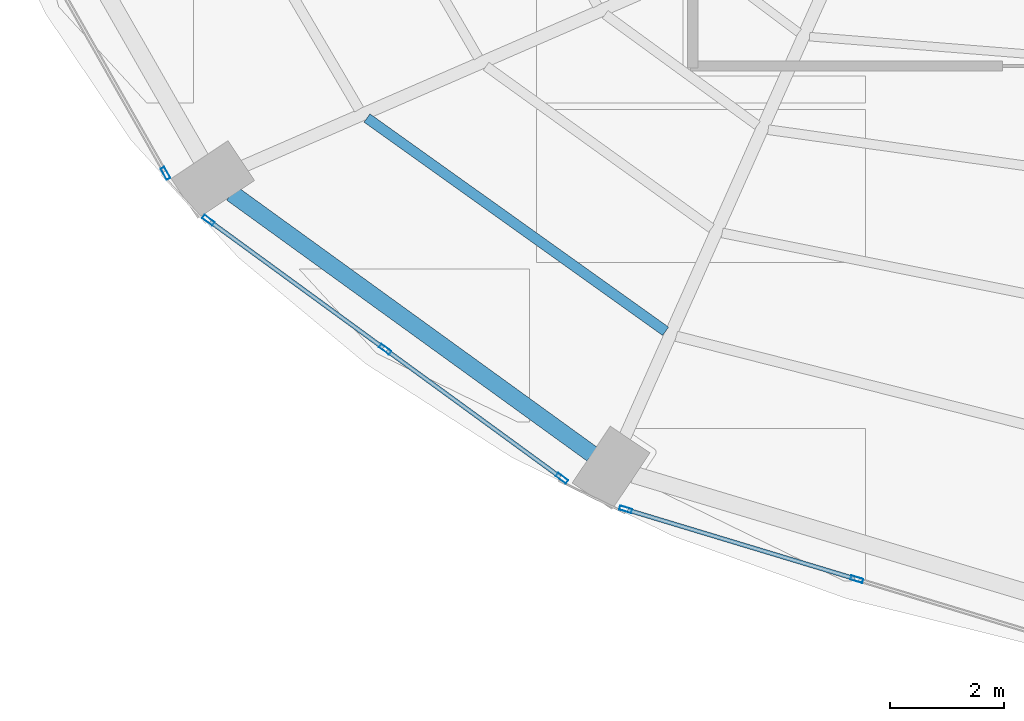
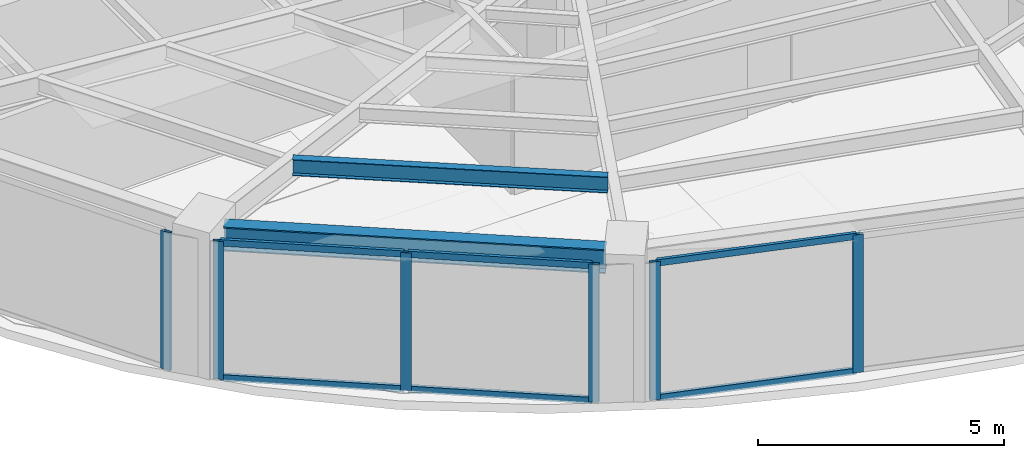
# One storey, part 2 of 23: 12 members, 2 beams, 3 elements without a shape of their own.
"""IFC4 building model written with IfcOpenShell, lengths in metres."""

from ifc_helpers import new_model, si_unit, direction, frame, origin, origin_2d, place, context, subcontext, project, spatial, hollow_rectangle, i_section, extrude, material, layer, layer_set, material_profile, profile_set, type_object, element, aggregate, save


model = new_model("IFC4")

# Units and contexts
model_context = context("Model", 3, precision=1e-05, world=origin(), true_north=direction((0.0, 1.0)))
body_context = subcontext(model_context, "Body", "Model", "MODEL_VIEW")
ifc_project = project(units=[si_unit("LENGTHUNIT", "METRE"), si_unit("AREAUNIT", "SQUARE_METRE"), si_unit("VOLUMEUNIT", "CUBIC_METRE"), si_unit("PLANEANGLEUNIT", "RADIAN"), si_unit("MASSUNIT", "GRAM", prefix="KILO")], contexts=[model_context])

# Site, building, storey
site_placement = place(None, origin())
site = spatial("IfcSite", under=ifc_project, at=site_placement, CompositionType="ELEMENT")
building_placement = place(site_placement, origin())
building = spatial("IfcBuilding", under=site, at=building_placement, Name="Lazwardi Medical Tower", CompositionType="ELEMENT")
storey_placement = place(building_placement, frame((0.0, 0.0, 92.68798828125)))
storey = spatial("IfcBuildingStorey", under=building, at=storey_placement, Name="L23", CompositionType="ELEMENT", Elevation=92.68798828125)

# Beams
ifc_material_1 = material(Name="Steel S355", Category="steel")
ifc_material_profile_1 = material_profile(ifc_material_1, i_section(OverallWidth=0.300048828125, OverallDepth=0.60009765625, WebThickness=0.015380859375, FlangeThickness=0.030029296875, at=origin_2d()), Name="HEB 600")
ifc_profile_set_1 = profile_set([ifc_material_profile_1], Name="Steel S355")
beam_type_1 = type_object("IfcBeamType", Name="BM-RB-Z2", PredefinedType="BEAM", material=ifc_profile_set_1)
beam_1_placement = place(storey_placement, frame((15.25439453125, 15.164794921875, 3.1279296875), z_axis=(0.81005674773, -0.586351486275, 0.0), x_axis=(0.586351486275, 0.81005674773, 0.0)))
element("IfcBeam", 1, at=beam_1_placement, inside=storey, type_object=beam_type_1, Name="Ring beam RB-03 B14 L23", PredefinedType="BEAM", context=body_context, shape_type="SweptSolid", body=[
    extrude(i_section(OverallWidth=0.300048828125, OverallDepth=0.60009765625, WebThickness=0.015380859375, FlangeThickness=0.030029296875, at=origin_2d()), origin(), (0.0, 0.0, 1.0), 7.81396484375),
])
ifc_material_profile_2 = material_profile(ifc_material_1, i_section(OverallWidth=0.179931640625, OverallDepth=0.39990234375, WebThickness=0.008544921875, FlangeThickness=0.013427734375, at=origin_2d()), Name="IPE 400")
ifc_profile_set_2 = profile_set([ifc_material_profile_2], Name="Steel S355")
beam_type_2 = type_object("IfcBeamType", Name="BM-SJ-01", PredefinedType="JOIST", material=ifc_profile_set_2)
beam_2_placement = place(storey_placement, frame((17.630615234375, 16.485595703125, 3.22802734375), z_axis=(0.813748834317, -0.581216684763, 0.0), x_axis=(0.581216684763, 0.813748834317, 0.0)))
element("IfcBeam", 2, at=beam_2_placement, inside=storey, type_object=beam_type_2, Name="Secondary joist SJ-01 R1 B14 L23", PredefinedType="JOIST", context=body_context, shape_type="SweptSolid", body=[
    extrude(i_section(OverallWidth=0.179931640625, OverallDepth=0.39990234375, WebThickness=0.008544921875, FlangeThickness=0.013427734375, at=origin_2d()), origin(), (0.0, 0.0, 1.0), 6.4423828125),
])

# Curtain wall, member
ifc_material_2 = material(Name="Anodised bronze aluminium and solar control glazing", Category="aluminium")
ifc_layer = layer(ifc_material_2, 0.195068359375)
ifc_layer_set = layer_set([ifc_layer], Name="Anodised bronze aluminium and solar control glazing")
curtain_wall_type = type_object("IfcCurtainWallType", Name="CW-SYS-03", PredefinedType="NOTDEFINED", material=ifc_layer_set)
curtain_wall_1_placement = place(storey_placement, origin())
curtain_wall_1 = element("IfcCurtainWall", 3, at=curtain_wall_1_placement, inside=storey, type_object=curtain_wall_type, Name="L23 Unitised bronze curtain wall CW-03", PredefinedType="NOTDEFINED")
ifc_material_3 = material(Name="Anodised bronze aluminium", Category="aluminium")
ifc_material_profile_3 = material_profile(ifc_material_3, hollow_rectangle(XDim=0.074951171875, YDim=0.219970703125, WallThickness=0.00390625, at=origin_2d()), Name="ALU-MULLION 220x75x4")
ifc_profile_set_3 = profile_set([ifc_material_profile_3], Name="Anodised bronze aluminium")
member_type_1 = type_object("IfcMemberType", Name="CW-MUL-01", PredefinedType="MULLION", material=ifc_profile_set_3)
member_1_placement = place(storey_placement, frame((14.0927734375, 15.51416015625, 0.0), z_axis=(0.0, 0.0, 1.0), x_axis=(0.869687265712, 0.493603140041, 0.0)))
member_1 = element("IfcMember", 4, at=member_1_placement, type_object=member_type_1, Name="CW-03 mullion 2", PredefinedType="MULLION", context=body_context, shape_type="SweptSolid", body=[
    extrude(hollow_rectangle(XDim=0.074951171875, YDim=0.219970703125, WallThickness=0.00390625, at=origin_2d()), origin(), (0.0, 0.0, 1.0), 3.427978515625),
])
aggregate(curtain_wall_1, [member_1])

# Curtain wall, members
curtain_wall_2_placement = place(storey_placement, origin())
curtain_wall_2 = element("IfcCurtainWall", 5, at=curtain_wall_2_placement, inside=storey, type_object=curtain_wall_type, Name="L23 Unitised bronze curtain wall CW-03", PredefinedType="NOTDEFINED")
member_2_placement = place(storey_placement, frame((14.844970703125, 14.691162109375, 0.0), z_axis=(0.0, 0.0, 1.0), x_axis=(0.589530882802, 0.807745837639, 0.0)))
member_2 = element("IfcMember", 6, at=member_2_placement, type_object=member_type_1, Name="CW-03 mullion 1", PredefinedType="MULLION", context=body_context, shape_type="SweptSolid", body=[
    extrude(hollow_rectangle(XDim=0.074951171875, YDim=0.219970703125, WallThickness=0.00390625, at=origin_2d()), origin(), (0.0, 0.0, 1.0), 3.427978515625),
])
member_3_placement = place(storey_placement, frame((17.948974609375, 12.42578125, 0.0), z_axis=(0.0, 0.0, 1.0), x_axis=(0.589530882802, 0.807745837639, 0.0)))
member_3 = element("IfcMember", 7, at=member_3_placement, type_object=member_type_1, Name="CW-03 mullion 2", PredefinedType="MULLION", context=body_context, shape_type="SweptSolid", body=[
    extrude(hollow_rectangle(XDim=0.074951171875, YDim=0.219970703125, WallThickness=0.00390625, at=origin_2d()), origin(), (0.0, 0.0, 1.0), 3.427978515625),
])
member_4_placement = place(storey_placement, frame((21.052734375, 10.160400390625, 0.0), z_axis=(0.0, 0.0, 1.0), x_axis=(0.589530882802, 0.807745837639, 0.0)))
member_4 = element("IfcMember", 8, at=member_4_placement, type_object=member_type_1, Name="CW-03 mullion 3", PredefinedType="MULLION", context=body_context, shape_type="SweptSolid", body=[
    extrude(hollow_rectangle(XDim=0.074951171875, YDim=0.219970703125, WallThickness=0.00390625, at=origin_2d()), origin(), (0.0, 0.0, 1.0), 3.427978515625),
])

curtain_wall_3_placement = place(storey_placement, origin())
curtain_wall_3 = element("IfcCurtainWall", 9, at=curtain_wall_3_placement, inside=storey, type_object=curtain_wall_type, Name="L23 Unitised bronze curtain wall CW-03", PredefinedType="NOTDEFINED")
member_5_placement = place(storey_placement, frame((22.171630859375, 9.614013671875, 0.0), z_axis=(0.0, 0.0, 1.0), x_axis=(0.28937381157, 0.957216170558, 0.0)))
member_5 = element("IfcMember", 10, at=member_5_placement, type_object=member_type_1, Name="CW-03 mullion 1", PredefinedType="MULLION", context=body_context, shape_type="SweptSolid", body=[
    extrude(hollow_rectangle(XDim=0.074951171875, YDim=0.219970703125, WallThickness=0.00390625, at=origin_2d()), origin(), (0.0, 0.0, 1.0), 3.427978515625),
])
member_6_placement = place(storey_placement, frame((26.230712890625, 8.386962890625, 0.0), z_axis=(0.0, 0.0, 1.0), x_axis=(0.28937381157, 0.957216170558, 0.0)))
member_6 = element("IfcMember", 11, at=member_6_placement, type_object=member_type_1, Name="CW-03 mullion 2", PredefinedType="MULLION", context=body_context, shape_type="SweptSolid", body=[
    extrude(hollow_rectangle(XDim=0.074951171875, YDim=0.219970703125, WallThickness=0.00390625, at=origin_2d()), origin(), (0.0, 0.0, 1.0), 3.427978515625),
])

# Member
ifc_material_profile_4 = material_profile(ifc_material_3, hollow_rectangle(XDim=0.074951171875, YDim=0.159912109375, WallThickness=0.00390625, at=origin_2d()), Name="ALU-TRANSOM 160x75x4")
ifc_profile_set_4 = profile_set([ifc_material_profile_4], Name="Anodised bronze aluminium")
member_type_2 = type_object("IfcMemberType", Name="CW-TRN-01", PredefinedType="USERDEFINED", material=ifc_profile_set_4)
member_7_placement = place(storey_placement, frame((14.87548828125, 14.6689453125, 0.03759765625), z_axis=(0.807731734271, -0.589550206049, 0.0), x_axis=(0.589550206049, 0.807731734271, 0.0)))
member_7 = element("IfcMember", 12, at=member_7_placement, type_object=member_type_2, Name="CW-03 transom 1.1", ObjectType="TRANSOM", PredefinedType="USERDEFINED", context=body_context, shape_type="SweptSolid", body=[
    extrude(hollow_rectangle(XDim=0.074951171875, YDim=0.159912109375, WallThickness=0.00390625, at=origin_2d()), origin(), (0.0, 0.0, 1.0), 3.767578125),
])

member_8_placement = place(storey_placement, frame((14.87548828125, 14.6689453125, 3.390625), z_axis=(0.807731734271, -0.589550206049, 0.0), x_axis=(0.589550206049, 0.807731734271, 0.0)))
member_8 = element("IfcMember", 13, at=member_8_placement, type_object=member_type_2, Name="CW-03 transom 1.2", ObjectType="TRANSOM", PredefinedType="USERDEFINED", context=body_context, shape_type="SweptSolid", body=[
    extrude(hollow_rectangle(XDim=0.074951171875, YDim=0.159912109375, WallThickness=0.00390625, at=origin_2d()), origin(), (0.0, 0.0, 1.0), 3.767578125),
])

member_9_placement = place(storey_placement, frame((17.979248046875, 12.403564453125, 0.03759765625), z_axis=(0.80776259199, -0.58950792614, 0.0), x_axis=(0.58950792614, 0.80776259199, 0.0)))
member_9 = element("IfcMember", 14, at=member_9_placement, type_object=member_type_2, Name="CW-03 transom 2.1", ObjectType="TRANSOM", PredefinedType="USERDEFINED", context=body_context, shape_type="SweptSolid", body=[
    extrude(hollow_rectangle(XDim=0.074951171875, YDim=0.159912109375, WallThickness=0.00390625, at=origin_2d()), origin(), (0.0, 0.0, 1.0), 3.767578125),
])

member_10_placement = place(storey_placement, frame((17.979248046875, 12.403564453125, 3.390625), z_axis=(0.80776259199, -0.58950792614, 0.0), x_axis=(0.58950792614, 0.80776259199, 0.0)))
member_10 = element("IfcMember", 15, at=member_10_placement, type_object=member_type_2, Name="CW-03 transom 2.2", ObjectType="TRANSOM", PredefinedType="USERDEFINED", context=body_context, shape_type="SweptSolid", body=[
    extrude(hollow_rectangle(XDim=0.074951171875, YDim=0.159912109375, WallThickness=0.00390625, at=origin_2d()), origin(), (0.0, 0.0, 1.0), 3.767578125),
])

aggregate(curtain_wall_2, [member_2, member_3, member_4, member_7, member_8, member_9, member_10])

member_11_placement = place(storey_placement, frame((22.20751953125, 9.603271484375, 0.03759765625), z_axis=(0.957204630929, -0.289411980623, 0.0), x_axis=(0.289411980623, 0.957204630929, 0.0)))
member_11 = element("IfcMember", 16, at=member_11_placement, type_object=member_type_2, Name="CW-03 transom 1.1", ObjectType="TRANSOM", PredefinedType="USERDEFINED", context=body_context, shape_type="SweptSolid", body=[
    extrude(hollow_rectangle(XDim=0.074951171875, YDim=0.159912109375, WallThickness=0.00390625, at=origin_2d()), origin(), (0.0, 0.0, 1.0), 4.16552734375),
])

member_12_placement = place(storey_placement, frame((22.20751953125, 9.603271484375, 3.390625), z_axis=(0.957204630929, -0.289411980623, 0.0), x_axis=(0.289411980623, 0.957204630929, 0.0)))
member_12 = element("IfcMember", 17, at=member_12_placement, type_object=member_type_2, Name="CW-03 transom 1.2", ObjectType="TRANSOM", PredefinedType="USERDEFINED", context=body_context, shape_type="SweptSolid", body=[
    extrude(hollow_rectangle(XDim=0.074951171875, YDim=0.159912109375, WallThickness=0.00390625, at=origin_2d()), origin(), (0.0, 0.0, 1.0), 4.16552734375),
])

aggregate(curtain_wall_3, [member_5, member_6, member_11, member_12])

save(model, "model.ifc")
